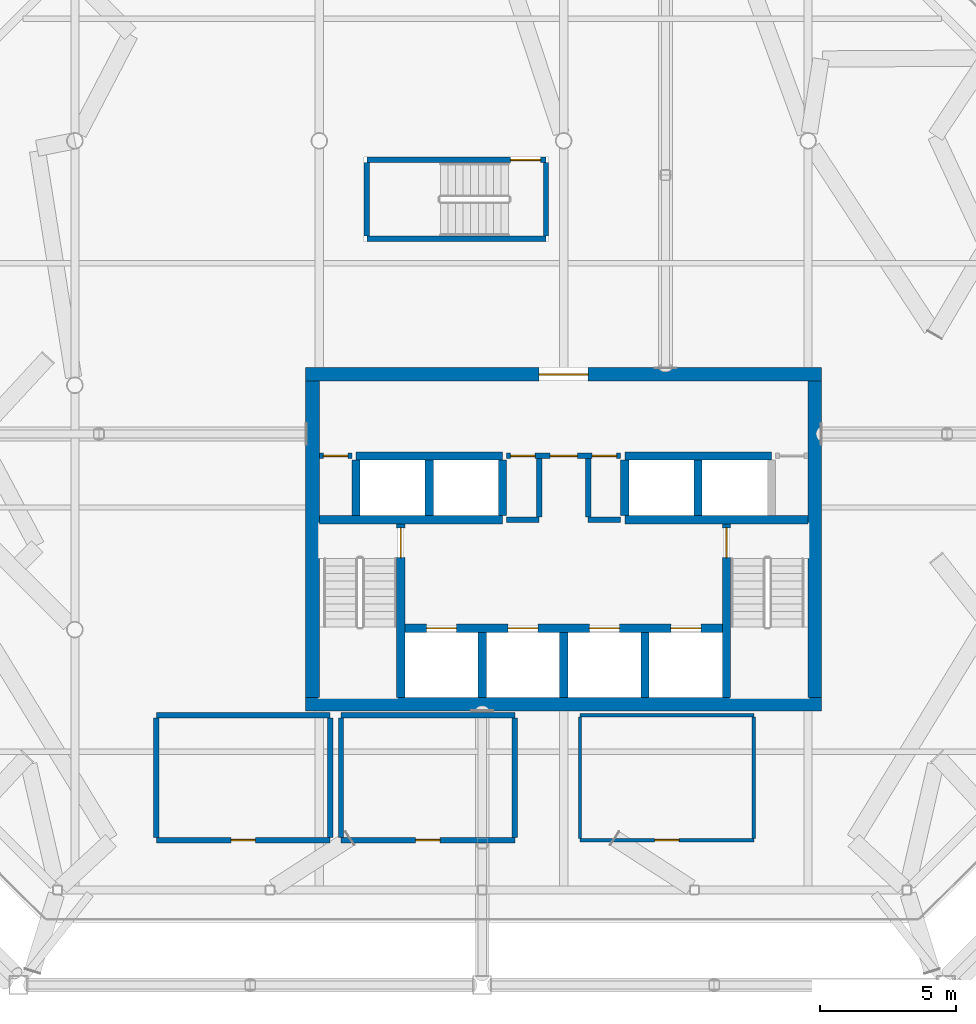
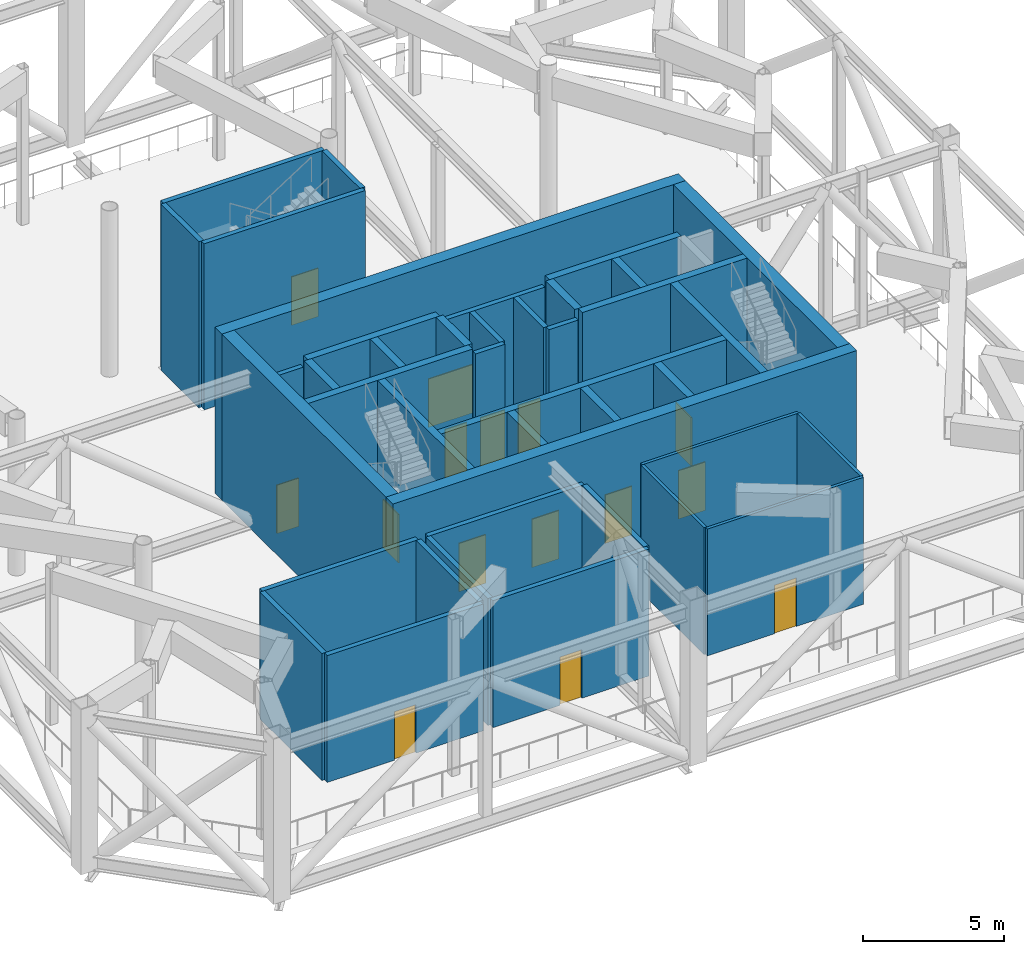
# One storey, part 11 of 17: 41 walls, 15 doors, 15 openings.
"""IFC4 building model written with IfcOpenShell, lengths in metres."""

import ifcopenshell
import ifcopenshell.guid

model = None  # the IFC model being written
_history = None  # IfcOwnerHistory: only IFC2X3 demands one
_inside = {}  # id of a spatial element -> (the spatial element, [elements in it])
_under = {}  # id of a project, library or spatial element -> (it, [spatial elements below it])
_declared = {}  # id of a project -> (the project, [libraries it declares])
_typed = {}  # id of a type object -> (the type object, [elements of that type])
_made_of = {}  # id of a material, layer set ... -> (it, [elements and type objects made of it])


def new_model(schema):
    """Start an empty IFC model of exactly this schema.

    Asked for "IFC4X3", IfcOpenShell would pick the latest addendum, in which some entities
    have other attributes; the version numbers below select the first issue.
    IFC2X3 requires an IfcOwnerHistory on every rooted entity: one is made here for all.
    """
    global model, _history
    if schema == "IFC4X3":
        model = ifcopenshell.file(schema_version=(4, 3, 0, 0))
    else:
        model = ifcopenshell.file(schema=schema)
    _inside.clear()
    _under.clear()
    _declared.clear()
    _typed.clear()
    _made_of.clear()
    _history = None
    if model.schema == "IFC2X3":
        org = make("IfcOrganization", Name="unknown")
        user = make(
            "IfcPersonAndOrganization",
            ThePerson=make("IfcPerson", FamilyName="unknown"),
            TheOrganization=org,
        )
        app = make(
            "IfcApplication",
            ApplicationDeveloper=org,
            Version="unknown",
            ApplicationFullName="unknown",
            ApplicationIdentifier="unknown",
        )
        _history = make(
            "IfcOwnerHistory",
            OwningUser=user,
            OwningApplication=app,
            ChangeAction="ADDED",
            CreationDate=0,
        )
    return model


def make(cls, **values):
    """One entity of the class cls with the attributes given. An attribute that is None is left unset."""
    return model.create_entity(
        cls, **{name: value for name, value in values.items() if value is not None}
    )


def rooted(cls, **values):
    """An entity with a GlobalId (a new one), such as an element, a storey or a relation."""
    return make(cls, GlobalId=ifcopenshell.guid.new(), OwnerHistory=_history, **values)


def si_unit(unit_type, name, prefix=None):
    """IfcSIUnit, for example si_unit("LENGTHUNIT", "METRE", prefix="MILLI")."""
    return make("IfcSIUnit", UnitType=unit_type, Prefix=prefix, Name=name)


def assignment(units):
    """IfcUnitAssignment: the units of a project."""
    return None if units is None else make("IfcUnitAssignment", Units=units)


def point(xyz):
    """IfcCartesianPoint."""
    return None if xyz is None else make("IfcCartesianPoint", Coordinates=xyz)


def direction(xyz):
    """IfcDirection."""
    return None if xyz is None else make("IfcDirection", DirectionRatios=xyz)


def frame(location, z_axis=None, x_axis=None):
    """IfcAxis2Placement3D, a coordinate frame: its origin and axes. An axis left out is left unset."""
    return make(
        "IfcAxis2Placement3D",
        Location=point(location),
        Axis=direction(z_axis),
        RefDirection=direction(x_axis),
    )


def frame_2d(location, x_axis=None):
    """IfcAxis2Placement2D, a coordinate frame in the plane: its origin and x axis."""
    return make(
        "IfcAxis2Placement2D", Location=point(location), RefDirection=direction(x_axis)
    )


def origin():
    """The frame at (0, 0, 0) with its axes left unset."""
    return frame((0.0, 0.0, 0.0))


def place(relative_to, where):
    """IfcLocalPlacement: puts the frame where relative to a parent placement (None: the world)."""
    return make(
        "IfcLocalPlacement", PlacementRelTo=relative_to, RelativePlacement=where
    )


def context(
    kind, dimensions, precision=None, world=None, true_north=None, identifier=None
):
    """IfcGeometricRepresentationContext, for example the 3D "Model" context."""
    return make(
        "IfcGeometricRepresentationContext",
        ContextIdentifier=identifier,
        ContextType=kind,
        CoordinateSpaceDimension=dimensions,
        Precision=precision,
        WorldCoordinateSystem=world,
        TrueNorth=true_north,
    )


def subcontext(parent, identifier, kind, view, scale=None):
    """IfcGeometricRepresentationSubContext, for example "Body" below "Model"."""
    return make(
        "IfcGeometricRepresentationSubContext",
        ContextIdentifier=identifier,
        ContextType=kind,
        ParentContext=parent,
        TargetScale=scale,
        TargetView=view,
    )


def project(units=None, contexts=None):
    """IfcProject with its units and contexts."""
    return rooted(
        "IfcProject",
        Name="project",
        RepresentationContexts=contexts,
        UnitsInContext=assignment(units),
    )


def spatial(cls, under=None, at=None, **own):
    """A site, building, storey or space (cls), placed at a placement, below another one or the project."""
    s = rooted(cls, ObjectPlacement=at, **own)
    if under is not None:
        _under.setdefault(under.id(), (under, []))[1].append(s)
    return s


def profile(cls, at=None, kind="AREA", **sizes):
    """A parametric profile (cls). Its sizes go by their IFC names, for example OverallWidth=200.0."""
    return make(cls, ProfileType=kind, Position=at, **sizes)


def rectangle(**sizes):
    """IfcRectangleProfileDef."""
    return profile("IfcRectangleProfileDef", **sizes)


def extrude(swept, where, along, depth):
    """IfcExtrudedAreaSolid: the profile swept, set in the frame where, extruded along a direction by depth."""
    return make(
        "IfcExtrudedAreaSolid",
        SweptArea=swept,
        Position=where,
        ExtrudedDirection=direction(along),
        Depth=depth,
    )


def shape(context_of_items, identifier, shape_type, items):
    """IfcShapeRepresentation: the items that make up one representation, for example the "Body"."""
    return make(
        "IfcShapeRepresentation",
        ContextOfItems=context_of_items,
        RepresentationIdentifier=identifier,
        RepresentationType=shape_type,
        Items=items,
    )


def material(Name=None, Category=None):
    """IfcMaterial."""
    return make("IfcMaterial", Name=Name, Category=Category)


def layer(
    of_material, thickness, ventilated=None, Name=None, Category=None, Priority=None
):
    """IfcMaterialLayer: one layer of a wall or slab, of a material (None: an air gap)."""
    return make(
        "IfcMaterialLayer",
        Material=of_material,
        LayerThickness=thickness,
        IsVentilated=ventilated,
        Name=Name,
        Category=Category,
        Priority=Priority,
    )


def layer_set(layers, Name=None):
    """IfcMaterialLayerSet."""
    return make("IfcMaterialLayerSet", MaterialLayers=layers, LayerSetName=Name)


def made_of(thing, what):
    """Note that an element or type object is made of a material, layer set ...; save() writes the relation."""
    if what is not None:
        _made_of.setdefault(what.id(), (what, []))[1].append(thing)
    return thing


def type_object(cls, material=None, **own):
    """A type object (cls), such as IfcWallType, which elements share."""
    return made_of(rooted(cls, **own), material)


def element(
    cls,
    number,
    at=None,
    inside=None,
    cuts=None,
    type_object=None,
    material=None,
    context=None,
    identifier="Body",
    shape_type=None,
    held_by="IfcProductDefinitionShape",
    body=None,
    shapes=None,
    **own,
):
    """One element of the class cls, such as IfcWall. Its Tag is "e" and its number.

    at: its placement. inside: the storey or other place that contains it. cuts: it is an
    opening in that element (IfcRelVoidsElement). A single representation is given by context,
    identifier, shape_type and body (its items); several are given by shapes. held_by: the class
    of the entity that holds the representations. save() writes the other relations.
    """
    e = rooted(cls, Tag="e%d" % number, ObjectPlacement=at, **own)
    if body is not None:
        shapes = [shape(context, identifier, shape_type, body)]
    if shapes is not None:
        e.Representation = make(held_by, Representations=shapes)
    if inside is not None:
        _inside.setdefault(inside.id(), (inside, []))[1].append(e)
    if cuts is not None:
        rooted(
            "IfcRelVoidsElement", RelatingBuildingElement=cuts, RelatedOpeningElement=e
        )
    if type_object is not None:
        _typed.setdefault(type_object.id(), (type_object, []))[1].append(e)
    return made_of(e, material)


def fill(opening, filler):
    """IfcRelFillsElement: the door or window that sits in an opening."""
    return rooted(
        "IfcRelFillsElement",
        RelatingOpeningElement=opening,
        RelatedBuildingElement=filler,
    )


def aggregate(whole, parts):
    """IfcRelAggregates: a whole, such as a stair, and the parts it consists of."""
    return rooted("IfcRelAggregates", RelatingObject=whole, RelatedObjects=parts)


def save(model, path):
    """Write the relations noted so far, then the file.

    IfcRelAggregates (storeys below a building ...), IfcRelContainedInSpatialStructure (elements
    in a storey), IfcRelDefinesByType, IfcRelAssociatesMaterial and IfcRelDeclares: one each for
    every whole, place, type object, material and project.
    """
    for whole, parts in _under.values():
        aggregate(whole, parts)
    for where, things in _inside.values():
        rooted(
            "IfcRelContainedInSpatialStructure",
            RelatedElements=things,
            RelatingStructure=where,
        )
    for kind, things in _typed.values():
        rooted("IfcRelDefinesByType", RelatedObjects=things, RelatingType=kind)
    for what, things in _made_of.values():
        rooted("IfcRelAssociatesMaterial", RelatedObjects=things, RelatingMaterial=what)
    for by, libraries in _declared.values():
        rooted("IfcRelDeclares", RelatingContext=by, RelatedDefinitions=libraries)
    model.write(path)


model = new_model("IFC4")

# Units and contexts
model_context = context("Model", 3, precision=1e-05, world=origin(), true_north=direction((0.0, 1.0)))
body_context = subcontext(model_context, "Body", "Model", "MODEL_VIEW")
ifc_project = project(units=[si_unit("LENGTHUNIT", "METRE"), si_unit("AREAUNIT", "SQUARE_METRE"), si_unit("VOLUMEUNIT", "CUBIC_METRE"), si_unit("PLANEANGLEUNIT", "RADIAN"), si_unit("MASSUNIT", "GRAM", prefix="KILO")], contexts=[model_context])

# Site, building, storey
site_placement = place(None, origin())
site = spatial("IfcSite", under=ifc_project, at=site_placement, CompositionType="ELEMENT")
building_placement = place(site_placement, origin())
building = spatial("IfcBuilding", under=site, at=building_placement, Name="Tskaro Facet Tower", CompositionType="ELEMENT")
storey_placement = place(building_placement, frame((0.0, 0.0, 210.0)))
storey = spatial("IfcBuildingStorey", under=building, at=storey_placement, Name="L54", CompositionType="ELEMENT", Elevation=210.0)

# Wall, openings, doors
ifc_material_1 = material(Name="Concrete C60/75", Category="concrete")
ifc_layer_1 = layer(ifc_material_1, 0.300048828125, Name="Concrete C60/75")
ifc_layer_set_1 = layer_set([ifc_layer_1], Name="Concrete C60/75")
wall_type_1 = type_object("IfcWallType", Name="CORE-SHAFT", PredefinedType="SHEAR", material=ifc_layer_set_1)
wall_1_placement = place(storey_placement, frame((-5.85009765625, -8.949951171875, 0.0), z_axis=(0.0, 0.0, 1.0), x_axis=(1.0, 0.0, 0.0)))
wall_1 = element("IfcWall", 1, at=wall_1_placement, inside=storey, type_object=wall_type_1, Name="Shaft wall W007", PredefinedType="SHEAR", context=body_context, shape_type="SweptSolid", body=[
    extrude(rectangle(XDim=11.7001953125, YDim=0.300048828125, at=frame_2d((5.85009765625, 0.0))), origin(), (0.0, 0.0, 1.0), 7.199951171875),
])
opening_1_placement = place(wall_1_placement, frame((0.800048828125, 0.0, 0.0)))
opening_1 = element("IfcOpeningElement", 2, at=opening_1_placement, cuts=wall_1, Name="Opening LD-FF1", PredefinedType="OPENING", context=body_context, shape_type="SweptSolid", body=[
    extrude(rectangle(XDim=1.10009765625, YDim=2.10009765625, at=frame_2d((0.550048828125, 1.050048828125))), frame((0.0, 0.159912109375, 0.0), z_axis=(0.0, -1.0, 0.0), x_axis=(1.0, 0.0, 0.0)), (0.0, 0.0, 1.0), 0.320068359375),
])
opening_2_placement = place(wall_1_placement, frame((3.800048828125, 0.0, 0.0)))
opening_2 = element("IfcOpeningElement", 3, at=opening_2_placement, cuts=wall_1, Name="Opening LD-FF2", PredefinedType="OPENING", context=body_context, shape_type="SweptSolid", body=[
    extrude(rectangle(XDim=1.10009765625, YDim=2.10009765625, at=frame_2d((0.550048828125, 1.050048828125))), frame((0.0, 0.159912109375, 0.0), z_axis=(0.0, -1.0, 0.0), x_axis=(1.0, 0.0, 0.0)), (0.0, 0.0, 1.0), 0.320068359375),
])
opening_3_placement = place(wall_1_placement, frame((6.800048828125, 0.0, 0.0)))
opening_3 = element("IfcOpeningElement", 4, at=opening_3_placement, cuts=wall_1, Name="Opening LD-SV1", PredefinedType="OPENING", context=body_context, shape_type="SweptSolid", body=[
    extrude(rectangle(XDim=1.10009765625, YDim=2.10009765625, at=frame_2d((0.550048828125, 1.050048828125))), frame((0.0, 0.159912109375, 0.0), z_axis=(0.0, -1.0, 0.0), x_axis=(1.0, 0.0, 0.0)), (0.0, 0.0, 1.0), 0.320068359375),
])
opening_4_placement = place(wall_1_placement, frame((9.800048828125, 0.0, 0.0)))
opening_4 = element("IfcOpeningElement", 5, at=opening_4_placement, cuts=wall_1, Name="Opening LD-SV2", PredefinedType="OPENING", context=body_context, shape_type="SweptSolid", body=[
    extrude(rectangle(XDim=1.10009765625, YDim=2.10009765625, at=frame_2d((0.550048828125, 1.050048828125))), frame((0.0, 0.159912109375, 0.0), z_axis=(0.0, -1.0, 0.0), x_axis=(1.0, 0.0, 0.0)), (0.0, 0.0, 1.0), 0.320068359375),
])
ifc_material_2 = material(Name="Stainless steel", Category="steel")
door_type_1 = type_object("IfcDoorType", Name="D-LANDING", OperationType="NOTDEFINED", PredefinedType="DOOR", material=ifc_material_2)
door_1_placement = place(opening_1_placement, origin())
door_1 = element("IfcDoor", 6, at=door_1_placement, inside=storey, type_object=door_type_1, Name="Landing door FF1", OperationType="DOUBLE_DOOR_SLIDING", OverallHeight=2.10009765625, OverallWidth=1.10009765625, PredefinedType="DOOR", context=body_context, shape_type="SweptSolid", body=[
    extrude(rectangle(XDim=1.10009765625, YDim=2.10009765625, at=frame_2d((0.550048828125, 1.050048828125))), frame((0.0, 0.02490234375, 0.0), z_axis=(0.0, -1.0, 0.0), x_axis=(1.0, 0.0, 0.0)), (0.0, 0.0, 1.0), 0.050048828125),
])
fill(opening_1, door_1)
door_2_placement = place(opening_2_placement, origin())
door_2 = element("IfcDoor", 7, at=door_2_placement, inside=storey, type_object=door_type_1, Name="Landing door FF2", OperationType="DOUBLE_DOOR_SLIDING", OverallHeight=2.10009765625, OverallWidth=1.10009765625, PredefinedType="DOOR", context=body_context, shape_type="SweptSolid", body=[
    extrude(rectangle(XDim=1.10009765625, YDim=2.10009765625, at=frame_2d((0.550048828125, 1.050048828125))), frame((0.0, 0.02490234375, 0.0), z_axis=(0.0, -1.0, 0.0), x_axis=(1.0, 0.0, 0.0)), (0.0, 0.0, 1.0), 0.050048828125),
])
fill(opening_2, door_2)
door_3_placement = place(opening_3_placement, origin())
door_3 = element("IfcDoor", 8, at=door_3_placement, inside=storey, type_object=door_type_1, Name="Landing door SV1", OperationType="DOUBLE_DOOR_SLIDING", OverallHeight=2.10009765625, OverallWidth=1.10009765625, PredefinedType="DOOR", context=body_context, shape_type="SweptSolid", body=[
    extrude(rectangle(XDim=1.10009765625, YDim=2.10009765625, at=frame_2d((0.550048828125, 1.050048828125))), frame((0.0, 0.02490234375, 0.0), z_axis=(0.0, -1.0, 0.0), x_axis=(1.0, 0.0, 0.0)), (0.0, 0.0, 1.0), 0.050048828125),
])
fill(opening_3, door_3)
door_4_placement = place(opening_4_placement, origin())
door_4 = element("IfcDoor", 9, at=door_4_placement, inside=storey, type_object=door_type_1, Name="Landing door SV2", OperationType="DOUBLE_DOOR_SLIDING", OverallHeight=2.10009765625, OverallWidth=1.10009765625, PredefinedType="DOOR", context=body_context, shape_type="SweptSolid", body=[
    extrude(rectangle(XDim=1.10009765625, YDim=2.10009765625, at=frame_2d((0.550048828125, 1.050048828125))), frame((0.0, 0.02490234375, 0.0), z_axis=(0.0, -1.0, 0.0), x_axis=(1.0, 0.0, 0.0)), (0.0, 0.0, 1.0), 0.050048828125),
])
fill(opening_4, door_4)

# Walls
for number, where, z_axis, x_axis, name in (
    (10, (-9.0, -4.949951171875, 0.0), (0.0, 0.0, 1.0), (1.0, 0.0, 0.0), "Shaft wall W008"),
    (11, (2.25, -4.949951171875, 0.0), (0.0, 0.0, 1.0), (1.0, 0.0, 0.0), "Shaft wall W011"),
):
    element("IfcWall", number, at=place(storey_placement, frame(where, z_axis=z_axis, x_axis=x_axis)), inside=storey, type_object=wall_type_1, Name=name, PredefinedType="SHEAR", context=body_context, shape_type="SweptSolid", body=[
        extrude(rectangle(XDim=6.75, YDim=0.300048828125, at=frame_2d((3.375, 0.0))), origin(), (0.0, 0.0, 1.0), 7.199951171875),
    ])
for number, where, z_axis, x_axis, name in (
    (12, (-7.64990234375, -2.60009765625, 0.0), (0.0, 0.0, 1.0), (1.0, 0.0, 0.0), "Shaft wall W013"),
    (13, (2.25, -2.60009765625, 0.0), (0.0, 0.0, 1.0), (1.0, 0.0, 0.0), "Shaft wall W015"),
):
    element("IfcWall", number, at=place(storey_placement, frame(where, z_axis=z_axis, x_axis=x_axis)), inside=storey, type_object=wall_type_1, Name=name, PredefinedType="SHEAR", context=body_context, shape_type="SweptSolid", body=[
        extrude(rectangle(XDim=5.39990234375, YDim=0.300048828125, at=frame_2d((2.699951171875, 0.0))), origin(), (0.0, 0.0, 1.0), 7.199951171875),
    ])
wall_2_placement = place(storey_placement, frame((-7.64990234375, -4.800048828125, 0.0), z_axis=(0.0, 0.0, 1.0), x_axis=(0.0, 1.0, 0.0)))
element("IfcWall", 14, at=wall_2_placement, inside=storey, type_object=wall_type_1, Name="Shaft wall W022", PredefinedType="SHEAR", context=body_context, shape_type="SweptSolid", body=[
    extrude(rectangle(XDim=2.050048828125, YDim=0.300048828125, at=frame_2d((1.02490234375, 0.0))), origin(), (0.0, 0.0, 1.0), 7.199951171875),
])

# Wall, opening, door
wall_3_placement = place(storey_placement, frame((-6.0, -11.5, 0.0), z_axis=(0.0, 0.0, 1.0), x_axis=(0.0, 1.0, 0.0)))
wall_3 = element("IfcWall", 15, at=wall_3_placement, inside=storey, type_object=wall_type_1, Name="Shaft wall W024", PredefinedType="SHEAR", context=body_context, shape_type="SweptSolid", body=[
    extrude(rectangle(XDim=6.39990234375, YDim=0.300048828125, at=frame_2d((3.199951171875, 0.0))), origin(), (0.0, 0.0, 1.0), 7.199951171875),
])
opening_5_placement = place(wall_3_placement, frame((5.14990234375, 0.0, 0.0)))
opening_5 = element("IfcOpeningElement", 16, at=opening_5_placement, cuts=wall_3, Name="Opening ST-1-D1", PredefinedType="OPENING", context=body_context, shape_type="SweptSolid", body=[
    extrude(rectangle(XDim=1.10009765625, YDim=2.10009765625, at=frame_2d((0.550048828125, 1.050048828125))), frame((0.0, 0.159912109375, 0.0), z_axis=(0.0, -1.0, 0.0), x_axis=(1.0, 0.0, 0.0)), (0.0, 0.0, 1.0), 0.320068359375),
])
ifc_material_3 = material(Name="Steel", Category="steel")
door_type_2 = type_object("IfcDoorType", Name="D-STAIR", OperationType="NOTDEFINED", PredefinedType="DOOR", material=ifc_material_3)
door_5_placement = place(opening_5_placement, origin())
door_5 = element("IfcDoor", 17, at=door_5_placement, inside=storey, type_object=door_type_2, Name="Stair door 1", OperationType="SINGLE_SWING_LEFT", OverallHeight=2.10009765625, OverallWidth=1.10009765625, PredefinedType="DOOR", context=body_context, shape_type="SweptSolid", body=[
    extrude(rectangle(XDim=1.10009765625, YDim=2.10009765625, at=frame_2d((0.550048828125, 1.050048828125))), frame((0.0, 0.02490234375, 0.0), z_axis=(0.0, -1.0, 0.0), x_axis=(1.0, 0.0, 0.0)), (0.0, 0.0, 1.0), 0.050048828125),
])
fill(opening_5, door_5)

# Walls
wall_4_placement = place(storey_placement, frame((-4.949951171875, -4.800048828125, 0.0), z_axis=(0.0, 0.0, 1.0), x_axis=(0.0, 1.0, 0.0)))
element("IfcWall", 18, at=wall_4_placement, inside=storey, type_object=wall_type_1, Name="Shaft wall W025", PredefinedType="SHEAR", context=body_context, shape_type="SweptSolid", body=[
    extrude(rectangle(XDim=2.050048828125, YDim=0.300048828125, at=frame_2d((1.02490234375, 0.0))), origin(), (0.0, 0.0, 1.0), 7.199951171875),
])
wall_5_placement = place(storey_placement, frame((-3.0, -11.5, 0.0), z_axis=(0.0, 0.0, 1.0), x_axis=(0.0, 1.0, 0.0)))
element("IfcWall", 19, at=wall_5_placement, inside=storey, type_object=wall_type_1, Name="Shaft wall W026", PredefinedType="SHEAR", context=body_context, shape_type="SweptSolid", body=[
    extrude(rectangle(XDim=2.39990234375, YDim=0.300048828125, at=frame_2d((1.199951171875, 0.0))), origin(), (0.0, 0.0, 1.0), 7.199951171875),
])
wall_6_placement = place(storey_placement, frame((-2.25, -4.800048828125, 0.0), z_axis=(0.0, 0.0, 1.0), x_axis=(0.0, 1.0, 0.0)))
element("IfcWall", 20, at=wall_6_placement, inside=storey, type_object=wall_type_1, Name="Shaft wall W027", PredefinedType="SHEAR", context=body_context, shape_type="SweptSolid", body=[
    extrude(rectangle(XDim=2.050048828125, YDim=0.300048828125, at=frame_2d((1.02490234375, 0.0))), origin(), (0.0, 0.0, 1.0), 7.199951171875),
])
wall_7_placement = place(storey_placement, frame((0.0, -11.5, 0.0), z_axis=(0.0, 0.0, 1.0), x_axis=(0.0, 1.0, 0.0)))
element("IfcWall", 21, at=wall_7_placement, inside=storey, type_object=wall_type_1, Name="Shaft wall W031", PredefinedType="SHEAR", context=body_context, shape_type="SweptSolid", body=[
    extrude(rectangle(XDim=2.39990234375, YDim=0.300048828125, at=frame_2d((1.199951171875, 0.0))), origin(), (0.0, 0.0, 1.0), 7.199951171875),
])
wall_8_placement = place(storey_placement, frame((2.25, -4.800048828125, 0.0), z_axis=(0.0, 0.0, 1.0), x_axis=(0.0, 1.0, 0.0)))
element("IfcWall", 22, at=wall_8_placement, inside=storey, type_object=wall_type_1, Name="Shaft wall W034", PredefinedType="SHEAR", context=body_context, shape_type="SweptSolid", body=[
    extrude(rectangle(XDim=2.050048828125, YDim=0.300048828125, at=frame_2d((1.02490234375, 0.0))), origin(), (0.0, 0.0, 1.0), 7.199951171875),
])
wall_9_placement = place(storey_placement, frame((3.0, -11.5, 0.0), z_axis=(0.0, 0.0, 1.0), x_axis=(0.0, 1.0, 0.0)))
element("IfcWall", 23, at=wall_9_placement, inside=storey, type_object=wall_type_1, Name="Shaft wall W035", PredefinedType="SHEAR", context=body_context, shape_type="SweptSolid", body=[
    extrude(rectangle(XDim=2.39990234375, YDim=0.300048828125, at=frame_2d((1.199951171875, 0.0))), origin(), (0.0, 0.0, 1.0), 7.199951171875),
])
wall_10_placement = place(storey_placement, frame((4.949951171875, -4.800048828125, 0.0), z_axis=(0.0, 0.0, 1.0), x_axis=(0.0, 1.0, 0.0)))
element("IfcWall", 24, at=wall_10_placement, inside=storey, type_object=wall_type_1, Name="Shaft wall W036", PredefinedType="SHEAR", context=body_context, shape_type="SweptSolid", body=[
    extrude(rectangle(XDim=2.050048828125, YDim=0.300048828125, at=frame_2d((1.02490234375, 0.0))), origin(), (0.0, 0.0, 1.0), 7.199951171875),
])

# Wall, opening, door
wall_11_placement = place(storey_placement, frame((6.0, -5.10009765625, 0.0), z_axis=(0.0, 0.0, 1.0), x_axis=(0.0, -1.0, 0.0)))
wall_11 = element("IfcWall", 25, at=wall_11_placement, inside=storey, type_object=wall_type_1, Name="Shaft wall W037", PredefinedType="SHEAR", context=body_context, shape_type="SweptSolid", body=[
    extrude(rectangle(XDim=6.39990234375, YDim=0.300048828125, at=frame_2d((3.199951171875, 0.0))), origin(), (0.0, 0.0, 1.0), 7.199951171875),
])
opening_6_placement = place(wall_11_placement, frame((0.14990234375, 0.0, 0.0)))
opening_6 = element("IfcOpeningElement", 26, at=opening_6_placement, cuts=wall_11, Name="Opening ST-2-D1", PredefinedType="OPENING", context=body_context, shape_type="SweptSolid", body=[
    extrude(rectangle(XDim=1.10009765625, YDim=2.10009765625, at=frame_2d((0.550048828125, 1.050048828125))), frame((0.0, 0.159912109375, 0.0), z_axis=(0.0, -1.0, 0.0), x_axis=(1.0, 0.0, 0.0)), (0.0, 0.0, 1.0), 0.320068359375),
])
door_6_placement = place(opening_6_placement, origin())
door_6 = element("IfcDoor", 27, at=door_6_placement, inside=storey, type_object=door_type_2, Name="Stair door 2", OperationType="SINGLE_SWING_RIGHT", OverallHeight=2.10009765625, OverallWidth=1.10009765625, PredefinedType="DOOR", context=body_context, shape_type="SweptSolid", body=[
    extrude(rectangle(XDim=1.10009765625, YDim=2.10009765625, at=frame_2d((0.550048828125, 1.050048828125))), frame((0.0, 0.02490234375, 0.0), z_axis=(0.0, -1.0, 0.0), x_axis=(1.0, 0.0, 0.0)), (0.0, 0.0, 1.0), 0.050048828125),
])
fill(opening_6, door_6)

# Walls
ifc_material_4 = material(Name="Concrete C20/25", Category="concrete")
ifc_layer_2 = layer(ifc_material_4, 0.199951171875, Name="Concrete C20/25")
ifc_layer_set_2 = layer_set([ifc_layer_2], Name="Concrete C20/25")
wall_type_2 = type_object("IfcWallType", Name="CORE-WALL", PredefinedType="SOLIDWALL", material=ifc_layer_set_2)
for number, where, z_axis, x_axis, name in (
    (28, (-2.10009765625, -4.949951171875, 0.0), (0.0, 0.0, 1.0), (1.0, 0.0, 0.0), "Core room wall W009"),
    (29, (0.89990234375, -4.949951171875, 0.0), (0.0, 0.0, 1.0), (1.0, 0.0, 0.0), "Core room wall W010"),
):
    element("IfcWall", number, at=place(storey_placement, frame(where, z_axis=z_axis, x_axis=x_axis)), inside=storey, type_object=wall_type_2, Name=name, PredefinedType="SOLIDWALL", context=body_context, shape_type="SweptSolid", body=[
        extrude(rectangle(XDim=1.2001953125, YDim=0.199951171875, at=frame_2d((0.60009765625, 0.0))), origin(), (0.0, 0.0, 1.0), 6.89990234375),
    ])

# Wall, opening, door
wall_12_placement = place(storey_placement, frame((-7.800048828125, -2.60009765625, 0.0), z_axis=(0.0, 0.0, 1.0), x_axis=(-1.0, 0.0, 0.0)))
wall_12 = element("IfcWall", 30, at=wall_12_placement, inside=storey, type_object=wall_type_2, Name="Core room wall W012", PredefinedType="SOLIDWALL", context=body_context, shape_type="SweptSolid", body=[
    extrude(rectangle(XDim=1.199951171875, YDim=0.199951171875, at=frame_2d((0.60009765625, 0.0))), origin(), (0.0, 0.0, 1.0), 6.89990234375),
])
opening_7_placement = place(wall_12_placement, frame((0.14990234375, 0.0, 0.0)))
opening_7 = element("IfcOpeningElement", 31, at=opening_7_placement, cuts=wall_12, Name="Opening W54-D04", PredefinedType="OPENING", context=body_context, shape_type="SweptSolid", body=[
    extrude(rectangle(XDim=0.89990234375, YDim=2.10009765625, at=frame_2d((0.449951171875, 1.050048828125))), frame((0.0, 0.10986328125, 0.0), z_axis=(0.0, -1.0, 0.0), x_axis=(1.0, 0.0, 0.0)), (0.0, 0.0, 1.0), 0.219970703125),
])
ifc_material_5 = material(Name="Timber", Category="wood")
door_type_3 = type_object("IfcDoorType", Name="D-ROOM", OperationType="NOTDEFINED", PredefinedType="DOOR", material=ifc_material_5)
door_7_placement = place(opening_7_placement, origin())
door_7 = element("IfcDoor", 32, at=door_7_placement, inside=storey, type_object=door_type_3, Name="Door W54-D04", OperationType="SINGLE_SWING_RIGHT", OverallHeight=2.10009765625, OverallWidth=0.89990234375, PredefinedType="DOOR", context=body_context, shape_type="SweptSolid", body=[
    extrude(rectangle(XDim=0.89990234375, YDim=2.10009765625, at=frame_2d((0.449951171875, 1.050048828125))), frame((0.0, 0.02490234375, 0.0), z_axis=(0.0, -1.0, 0.0), x_axis=(1.0, 0.0, 0.0)), (0.0, 0.0, 1.0), 0.050048828125),
])
fill(opening_7, door_7)

# Wall, openings, doors
wall_13_placement = place(storey_placement, frame((2.10009765625, -2.60009765625, 0.0), z_axis=(0.0, 0.0, 1.0), x_axis=(-1.0, 0.0, 0.0)))
wall_13 = element("IfcWall", 33, at=wall_13_placement, inside=storey, type_object=wall_type_2, Name="Core room wall W014", PredefinedType="SOLIDWALL", context=body_context, shape_type="SweptSolid", body=[
    extrude(rectangle(XDim=4.2001953125, YDim=0.199951171875, at=frame_2d((2.10009765625, 0.0))), origin(), (0.0, 0.0, 1.0), 6.89990234375),
])
opening_8_placement = place(wall_13_placement, frame((1.60009765625, 0.0, 0.0)))
opening_8 = element("IfcOpeningElement", 34, at=opening_8_placement, cuts=wall_13, Name="Opening FL-D1", PredefinedType="OPENING", context=body_context, shape_type="SweptSolid", body=[
    extrude(rectangle(XDim=1.0, YDim=2.10009765625, at=frame_2d((0.5, 1.050048828125))), frame((0.0, 0.10986328125, 0.0), z_axis=(0.0, -1.0, 0.0), x_axis=(1.0, 0.0, 0.0)), (0.0, 0.0, 1.0), 0.219970703125),
])
opening_9_placement = place(wall_13_placement, frame((3.14990234375, 0.0, 0.0)))
opening_9 = element("IfcOpeningElement", 35, at=opening_9_placement, cuts=wall_13, Name="Opening W54-D05", PredefinedType="OPENING", context=body_context, shape_type="SweptSolid", body=[
    extrude(rectangle(XDim=0.89990234375, YDim=2.10009765625, at=frame_2d((0.449951171875, 1.050048828125))), frame((0.0, 0.10986328125, 0.0), z_axis=(0.0, -1.0, 0.0), x_axis=(1.0, 0.0, 0.0)), (0.0, 0.0, 1.0), 0.219970703125),
])
opening_10_placement = place(wall_13_placement, frame((0.14990234375, 0.0, 0.0)))
opening_10 = element("IfcOpeningElement", 36, at=opening_10_placement, cuts=wall_13, Name="Opening W54-D06", PredefinedType="OPENING", context=body_context, shape_type="SweptSolid", body=[
    extrude(rectangle(XDim=0.89990234375, YDim=2.10009765625, at=frame_2d((0.449951171875, 1.050048828125))), frame((0.0, 0.10986328125, 0.0), z_axis=(0.0, -1.0, 0.0), x_axis=(1.0, 0.0, 0.0)), (0.0, 0.0, 1.0), 0.219970703125),
])
door_type_4 = type_object("IfcDoorType", Name="D-LOBBY", OperationType="NOTDEFINED", PredefinedType="DOOR", material=ifc_material_3)
door_8_placement = place(opening_8_placement, origin())
door_8 = element("IfcDoor", 37, at=door_8_placement, inside=storey, type_object=door_type_4, Name="Lobby door FL", OperationType="SINGLE_SWING_RIGHT", OverallHeight=2.10009765625, OverallWidth=1.0, PredefinedType="DOOR", context=body_context, shape_type="SweptSolid", body=[
    extrude(rectangle(XDim=1.0, YDim=2.10009765625, at=frame_2d((0.5, 1.050048828125))), frame((0.0, 0.02490234375, 0.0), z_axis=(0.0, -1.0, 0.0), x_axis=(1.0, 0.0, 0.0)), (0.0, 0.0, 1.0), 0.050048828125),
])
fill(opening_8, door_8)
door_9_placement = place(opening_9_placement, origin())
door_9 = element("IfcDoor", 38, at=door_9_placement, inside=storey, type_object=door_type_3, Name="Door W54-D05", OperationType="SINGLE_SWING_RIGHT", OverallHeight=2.10009765625, OverallWidth=0.89990234375, PredefinedType="DOOR", context=body_context, shape_type="SweptSolid", body=[
    extrude(rectangle(XDim=0.89990234375, YDim=2.10009765625, at=frame_2d((0.449951171875, 1.050048828125))), frame((0.0, 0.02490234375, 0.0), z_axis=(0.0, -1.0, 0.0), x_axis=(1.0, 0.0, 0.0)), (0.0, 0.0, 1.0), 0.050048828125),
])
fill(opening_9, door_9)
door_10_placement = place(opening_10_placement, origin())
door_10 = element("IfcDoor", 39, at=door_10_placement, inside=storey, type_object=door_type_3, Name="Door W54-D06", OperationType="SINGLE_SWING_RIGHT", OverallHeight=2.10009765625, OverallWidth=0.89990234375, PredefinedType="DOOR", context=body_context, shape_type="SweptSolid", body=[
    extrude(rectangle(XDim=0.89990234375, YDim=2.10009765625, at=frame_2d((0.449951171875, 1.050048828125))), frame((0.0, 0.02490234375, 0.0), z_axis=(0.0, -1.0, 0.0), x_axis=(1.0, 0.0, 0.0)), (0.0, 0.0, 1.0), 0.050048828125),
])
fill(opening_10, door_10)

# Walls
for number, where, z_axis, x_axis, name in (
    (40, (-0.89990234375, -4.85009765625, 0.0), (0.0, 0.0, 1.0), (0.0, 1.0, 0.0), "Core room wall W029"),
    (41, (0.89990234375, -4.85009765625, 0.0), (0.0, 0.0, 1.0), (0.0, 1.0, 0.0), "Core room wall W033"),
):
    element("IfcWall", number, at=place(storey_placement, frame(where, z_axis=z_axis, x_axis=x_axis)), inside=storey, type_object=wall_type_2, Name=name, PredefinedType="SOLIDWALL", context=body_context, shape_type="SweptSolid", body=[
        extrude(rectangle(XDim=2.150146484375, YDim=0.199951171875, at=frame_2d((1.0751953125, 0.0))), origin(), (0.0, 0.0, 1.0), 6.89990234375),
    ])
ifc_material_6 = material(Name="Concrete C40/50", Category="concrete")
ifc_layer_3 = layer(ifc_material_6, 0.5, Name="Concrete C40/50")
ifc_layer_set_3 = layer_set([ifc_layer_3], Name="Concrete C40/50")
wall_type_3 = type_object("IfcWallType", Name="Core wall 500", PredefinedType="SHEAR", material=ifc_layer_set_3)
wall_14_placement = place(storey_placement, frame((-9.5, -11.75, 0.0), z_axis=(0.0, 0.0, 1.0), x_axis=(1.0, 0.0, 0.0)))
element("IfcWall", 42, at=wall_14_placement, inside=storey, type_object=wall_type_3, Name="Core wall CW-Z3S", PredefinedType="SHEAR", context=body_context, shape_type="SweptSolid", body=[
    extrude(rectangle(XDim=19.0, YDim=0.5, at=frame_2d((9.5, 0.0))), origin(), (0.0, 0.0, 1.0), 7.199951171875),
])

# Wall, opening, door
wall_15_placement = place(storey_placement, frame((-9.5, 0.39990234375, 0.0), z_axis=(0.0, 0.0, 1.0), x_axis=(1.0, 0.0, 0.0)))
wall_15 = element("IfcWall", 43, at=wall_15_placement, inside=storey, type_object=wall_type_3, Name="Core wall CW-Z3N", PredefinedType="SHEAR", context=body_context, shape_type="SweptSolid", body=[
    extrude(rectangle(XDim=19.0, YDim=0.5, at=frame_2d((9.5, 0.0))), origin(), (0.0, 0.0, 1.0), 7.199951171875),
])
opening_11_placement = place(wall_15_placement, frame((8.60009765625, 0.0, 0.0)))
opening_11 = element("IfcOpeningElement", 44, at=opening_11_placement, cuts=wall_15, Name="Opening W54-D08", PredefinedType="OPENING", context=body_context, shape_type="SweptSolid", body=[
    extrude(rectangle(XDim=1.800048828125, YDim=2.10009765625, at=frame_2d((0.89990234375, 1.050048828125))), frame((0.0, 0.260009765625, 0.0), z_axis=(0.0, -1.0, 0.0), x_axis=(1.0, 0.0, 0.0)), (0.0, 0.0, 1.0), 0.52001953125),
])
door_type_5 = type_object("IfcDoorType", Name="D-CORE-PAIR", OperationType="NOTDEFINED", PredefinedType="DOOR", material=ifc_material_3)
door_11_placement = place(opening_11_placement, origin())
door_11 = element("IfcDoor", 45, at=door_11_placement, inside=storey, type_object=door_type_5, Name="Door W54-D08", OperationType="DOUBLE_DOOR_SINGLE_SWING", OverallHeight=2.10009765625, OverallWidth=1.800048828125, PredefinedType="DOOR", context=body_context, shape_type="SweptSolid", body=[
    extrude(rectangle(XDim=1.800048828125, YDim=2.10009765625, at=frame_2d((0.89990234375, 1.050048828125))), frame((0.0, 0.02490234375, 0.0), z_axis=(0.0, -1.0, 0.0), x_axis=(1.0, 0.0, 0.0)), (0.0, 0.0, 1.0), 0.050048828125),
])
fill(opening_11, door_11)

# Walls
for number, where, z_axis, x_axis, name in (
    (46, (-9.25, -11.5, 0.0), (0.0, 0.0, 1.0), (0.0, 1.0, 0.0), "Core wall CW-Z3W"),
    (47, (9.25, -11.5, 0.0), (0.0, 0.0, 1.0), (0.0, 1.0, 0.0), "Core wall CW-Z3E"),
):
    element("IfcWall", number, at=place(storey_placement, frame(where, z_axis=z_axis, x_axis=x_axis)), inside=storey, type_object=wall_type_3, Name=name, PredefinedType="SHEAR", context=body_context, shape_type="SweptSolid", body=[
        extrude(rectangle(XDim=11.64990234375, YDim=0.5, at=frame_2d((5.824951171875, 0.0))), origin(), (0.0, 0.0, 1.0), 7.199951171875),
    ])

# Wall, opening, door
ifc_material_7 = material(Name="Gypsum board on steel studs", Category="steel")
ifc_layer_4 = layer(ifc_material_7, 0.125, Name="Gypsum board on steel studs")
ifc_layer_set_4 = layer_set([ifc_layer_4], Name="Gypsum board on steel studs")
wall_type_4 = type_object("IfcWallType", Name="PART", PredefinedType="PARTITIONING", material=ifc_layer_set_4)
wall_16_placement = place(storey_placement, frame((0.60009765625, -16.75, 0.0), z_axis=(0.0, 0.0, 1.0), x_axis=(1.0, 0.0, 0.0)))
wall_16 = element("IfcWall", 48, at=wall_16_placement, inside=storey, type_object=wall_type_4, Name="Partition W003", PredefinedType="PARTITIONING", context=body_context, shape_type="SweptSolid", body=[
    extrude(rectangle(XDim=6.39990234375, YDim=0.125, at=frame_2d((3.199951171875, 0.0))), origin(), (0.0, 0.0, 1.0), 5.5),
])
opening_12_placement = place(wall_16_placement, frame((2.75, 0.0, 0.0)))
opening_12 = element("IfcOpeningElement", 49, at=opening_12_placement, cuts=wall_16, Name="Opening W54-D03", PredefinedType="OPENING", context=body_context, shape_type="SweptSolid", body=[
    extrude(rectangle(XDim=0.89990234375, YDim=2.10009765625, at=frame_2d((0.449951171875, 1.050048828125))), frame((0.0, 0.072509765625, 0.0), z_axis=(0.0, -1.0, 0.0), x_axis=(1.0, 0.0, 0.0)), (0.0, 0.0, 1.0), 0.14501953125),
])
door_12_placement = place(opening_12_placement, origin())
door_12 = element("IfcDoor", 50, at=door_12_placement, inside=storey, type_object=door_type_3, Name="Door W54-D03", OperationType="SINGLE_SWING_LEFT", OverallHeight=2.10009765625, OverallWidth=0.89990234375, PredefinedType="DOOR", context=body_context, shape_type="SweptSolid", body=[
    extrude(rectangle(XDim=0.89990234375, YDim=2.10009765625, at=frame_2d((0.449951171875, 1.050048828125))), frame((0.0, 0.02490234375, 0.0), z_axis=(0.0, -1.0, 0.0), x_axis=(1.0, 0.0, 0.0)), (0.0, 0.0, 1.0), 0.050048828125),
])
fill(opening_12, door_12)

# Walls
wall_17_placement = place(storey_placement, frame((0.60009765625, -12.14990234375, 0.0), z_axis=(0.0, 0.0, 1.0), x_axis=(1.0, 0.0, 0.0)))
element("IfcWall", 51, at=wall_17_placement, inside=storey, type_object=wall_type_4, Name="Partition W006", PredefinedType="PARTITIONING", context=body_context, shape_type="SweptSolid", body=[
    extrude(rectangle(XDim=6.39990234375, YDim=0.125, at=frame_2d((3.199951171875, 0.0))), origin(), (0.0, 0.0, 1.0), 5.5),
])
for number, where, z_axis, x_axis, name in (
    (52, (0.60009765625, -16.6875, 0.0), (0.0, 0.0, 1.0), (0.0, 1.0, 0.0), "Partition W032"),
    (53, (7.0, -16.6875, 0.0), (0.0, 0.0, 1.0), (0.0, 1.0, 0.0), "Partition W038"),
):
    element("IfcWall", number, at=place(storey_placement, frame(where, z_axis=z_axis, x_axis=x_axis)), inside=storey, type_object=wall_type_4, Name=name, PredefinedType="PARTITIONING", context=body_context, shape_type="SweptSolid", body=[
        extrude(rectangle(XDim=4.47509765625, YDim=0.125, at=frame_2d((2.237548828125, 0.0))), origin(), (0.0, 0.0, 1.0), 5.5),
    ])
ifc_layer_5 = layer(ifc_material_1, 0.199951171875, Name="Concrete C60/75")
ifc_layer_set_5 = layer_set([ifc_layer_5], Name="Concrete C60/75")
wall_type_5 = type_object("IfcWallType", Name="STAIR-WALL", PredefinedType="SHEAR", material=ifc_layer_set_5)
wall_18_placement = place(storey_placement, frame((-7.25, 5.39990234375, 0.0), z_axis=(0.0, 0.0, 1.0), x_axis=(1.0, 0.0, 0.0)))
element("IfcWall", 54, at=wall_18_placement, inside=storey, type_object=wall_type_5, Name="Stair wall W017", PredefinedType="SHEAR", context=body_context, shape_type="SweptSolid", body=[
    extrude(rectangle(XDim=6.60009765625, YDim=0.199951171875, at=frame_2d((3.300048828125, 0.0))), origin(), (0.0, 0.0, 1.0), 7.199951171875),
])

# Wall, opening, door
wall_19_placement = place(storey_placement, frame((-0.64990234375, 8.300048828125, 0.0), z_axis=(0.0, 0.0, 1.0), x_axis=(-1.0, 0.0, 0.0)))
wall_19 = element("IfcWall", 55, at=wall_19_placement, inside=storey, type_object=wall_type_5, Name="Stair wall W018", PredefinedType="SHEAR", context=body_context, shape_type="SweptSolid", body=[
    extrude(rectangle(XDim=6.60009765625, YDim=0.199951171875, at=frame_2d((3.300048828125, 0.0))), origin(), (0.0, 0.0, 1.0), 7.199951171875),
])
opening_13_placement = place(wall_19_placement, frame((0.199951171875, 0.0, 0.0)))
opening_13 = element("IfcOpeningElement", 56, at=opening_13_placement, cuts=wall_19, Name="Opening ST-3-D1", PredefinedType="OPENING", context=body_context, shape_type="SweptSolid", body=[
    extrude(rectangle(XDim=1.10009765625, YDim=2.10009765625, at=frame_2d((0.550048828125, 1.050048828125))), frame((0.0, 0.10986328125, 0.0), z_axis=(0.0, -1.0, 0.0), x_axis=(1.0, 0.0, 0.0)), (0.0, 0.0, 1.0), 0.219970703125),
])
door_13_placement = place(opening_13_placement, origin())
door_13 = element("IfcDoor", 57, at=door_13_placement, inside=storey, type_object=door_type_2, Name="Stair door 3", OperationType="SINGLE_SWING_RIGHT", OverallHeight=2.10009765625, OverallWidth=1.10009765625, PredefinedType="DOOR", context=body_context, shape_type="SweptSolid", body=[
    extrude(rectangle(XDim=1.10009765625, YDim=2.10009765625, at=frame_2d((0.550048828125, 1.050048828125))), frame((0.0, 0.02490234375, 0.0), z_axis=(0.0, -1.0, 0.0), x_axis=(1.0, 0.0, 0.0)), (0.0, 0.0, 1.0), 0.050048828125),
])
fill(opening_13, door_13)

# Walls
for number, where, z_axis, x_axis, name in (
    (58, (-7.25, 5.5, 0.0), (0.0, 0.0, 1.0), (0.0, 1.0, 0.0), "Stair wall W023"),
    (59, (-0.64990234375, 5.5, 0.0), (0.0, 0.0, 1.0), (0.0, 1.0, 0.0), "Stair wall W030"),
):
    element("IfcWall", number, at=place(storey_placement, frame(where, z_axis=z_axis, x_axis=x_axis)), inside=storey, type_object=wall_type_5, Name=name, PredefinedType="SHEAR", context=body_context, shape_type="SweptSolid", body=[
        extrude(rectangle(XDim=2.699951171875, YDim=0.199951171875, at=frame_2d((1.35009765625, 0.0))), origin(), (0.0, 0.0, 1.0), 7.199951171875),
    ])

# Wall, opening, door
ifc_layer_6 = layer(ifc_material_4, 0.199951171875, Name="Concrete C20/25")
ifc_layer_set_6 = layer_set([ifc_layer_6], Name="Concrete C20/25")
wall_type_6 = type_object("IfcWallType", Name="WALL-RISER", PredefinedType="SOLIDWALL", material=ifc_layer_set_6)
wall_20_placement = place(storey_placement, frame((-15.0, -16.75, 0.0), z_axis=(0.0, 0.0, 1.0), x_axis=(1.0, 0.0, 0.0)))
wall_20 = element("IfcWall", 60, at=wall_20_placement, inside=storey, type_object=wall_type_6, Name="Riser room wall W001", PredefinedType="SOLIDWALL", context=body_context, shape_type="SweptSolid", body=[
    extrude(rectangle(XDim=6.39990234375, YDim=0.199951171875, at=frame_2d((3.199951171875, 0.0))), origin(), (0.0, 0.0, 1.0), 5.5),
])
opening_14_placement = place(wall_20_placement, frame((2.75, 0.0, 0.0)))
opening_14 = element("IfcOpeningElement", 61, at=opening_14_placement, cuts=wall_20, Name="Opening W54-D01", PredefinedType="OPENING", context=body_context, shape_type="SweptSolid", body=[
    extrude(rectangle(XDim=0.89990234375, YDim=2.10009765625, at=frame_2d((0.449951171875, 1.050048828125))), frame((0.0, 0.10986328125, 0.0), z_axis=(0.0, -1.0, 0.0), x_axis=(1.0, 0.0, 0.0)), (0.0, 0.0, 1.0), 0.219970703125),
])
door_type_6 = type_object("IfcDoorType", Name="D-RISER", OperationType="NOTDEFINED", PredefinedType="DOOR", material=ifc_material_3)
door_14_placement = place(opening_14_placement, origin())
door_14 = element("IfcDoor", 62, at=door_14_placement, inside=storey, type_object=door_type_6, Name="Door W54-D01", OperationType="SINGLE_SWING_LEFT", OverallHeight=2.10009765625, OverallWidth=0.89990234375, PredefinedType="DOOR", context=body_context, shape_type="SweptSolid", body=[
    extrude(rectangle(XDim=0.89990234375, YDim=2.10009765625, at=frame_2d((0.449951171875, 1.050048828125))), frame((0.0, 0.02490234375, 0.0), z_axis=(0.0, -1.0, 0.0), x_axis=(1.0, 0.0, 0.0)), (0.0, 0.0, 1.0), 0.050048828125),
])
fill(opening_14, door_14)

wall_21_placement = place(storey_placement, frame((-8.199951171875, -16.75, 0.0), z_axis=(0.0, 0.0, 1.0), x_axis=(1.0, 0.0, 0.0)))
wall_21 = element("IfcWall", 63, at=wall_21_placement, inside=storey, type_object=wall_type_6, Name="Riser room wall W002", PredefinedType="SOLIDWALL", context=body_context, shape_type="SweptSolid", body=[
    extrude(rectangle(XDim=6.39990234375, YDim=0.199951171875, at=frame_2d((3.199951171875, 0.0))), origin(), (0.0, 0.0, 1.0), 5.5),
])
opening_15_placement = place(wall_21_placement, frame((2.75, 0.0, 0.0)))
opening_15 = element("IfcOpeningElement", 64, at=opening_15_placement, cuts=wall_21, Name="Opening W54-D02", PredefinedType="OPENING", context=body_context, shape_type="SweptSolid", body=[
    extrude(rectangle(XDim=0.89990234375, YDim=2.10009765625, at=frame_2d((0.449951171875, 1.050048828125))), frame((0.0, 0.10986328125, 0.0), z_axis=(0.0, -1.0, 0.0), x_axis=(1.0, 0.0, 0.0)), (0.0, 0.0, 1.0), 0.219970703125),
])
door_15_placement = place(opening_15_placement, origin())
door_15 = element("IfcDoor", 65, at=door_15_placement, inside=storey, type_object=door_type_6, Name="Door W54-D02", OperationType="SINGLE_SWING_LEFT", OverallHeight=2.10009765625, OverallWidth=0.89990234375, PredefinedType="DOOR", context=body_context, shape_type="SweptSolid", body=[
    extrude(rectangle(XDim=0.89990234375, YDim=2.10009765625, at=frame_2d((0.449951171875, 1.050048828125))), frame((0.0, 0.02490234375, 0.0), z_axis=(0.0, -1.0, 0.0), x_axis=(1.0, 0.0, 0.0)), (0.0, 0.0, 1.0), 0.050048828125),
])
fill(opening_15, door_15)

# Walls
for number, where, z_axis, x_axis, name in (
    (66, (-15.0, -12.14990234375, 0.0), (0.0, 0.0, 1.0), (1.0, 0.0, 0.0), "Riser room wall W004"),
    (67, (-8.199951171875, -12.14990234375, 0.0), (0.0, 0.0, 1.0), (1.0, 0.0, 0.0), "Riser room wall W005"),
):
    element("IfcWall", number, at=place(storey_placement, frame(where, z_axis=z_axis, x_axis=x_axis)), inside=storey, type_object=wall_type_6, Name=name, PredefinedType="SOLIDWALL", context=body_context, shape_type="SweptSolid", body=[
        extrude(rectangle(XDim=6.39990234375, YDim=0.199951171875, at=frame_2d((3.199951171875, 0.0))), origin(), (0.0, 0.0, 1.0), 5.5),
    ])
for number, where, z_axis, x_axis, name in (
    (68, (-15.0, -16.64990234375, 0.0), (0.0, 0.0, 1.0), (0.0, 1.0, 0.0), "Riser room wall W019"),
    (69, (-8.60009765625, -16.64990234375, 0.0), (0.0, 0.0, 1.0), (0.0, 1.0, 0.0), "Riser room wall W020"),
    (70, (-8.199951171875, -16.64990234375, 0.0), (0.0, 0.0, 1.0), (0.0, 1.0, 0.0), "Riser room wall W021"),
    (71, (-1.800048828125, -16.64990234375, 0.0), (0.0, 0.0, 1.0), (0.0, 1.0, 0.0), "Riser room wall W028"),
):
    element("IfcWall", number, at=place(storey_placement, frame(where, z_axis=z_axis, x_axis=x_axis)), inside=storey, type_object=wall_type_6, Name=name, PredefinedType="SOLIDWALL", context=body_context, shape_type="SweptSolid", body=[
        extrude(rectangle(XDim=4.39990234375, YDim=0.199951171875, at=frame_2d((2.199951171875, 0.0))), origin(), (0.0, 0.0, 1.0), 5.5),
    ])

save(model, "model.ifc")
